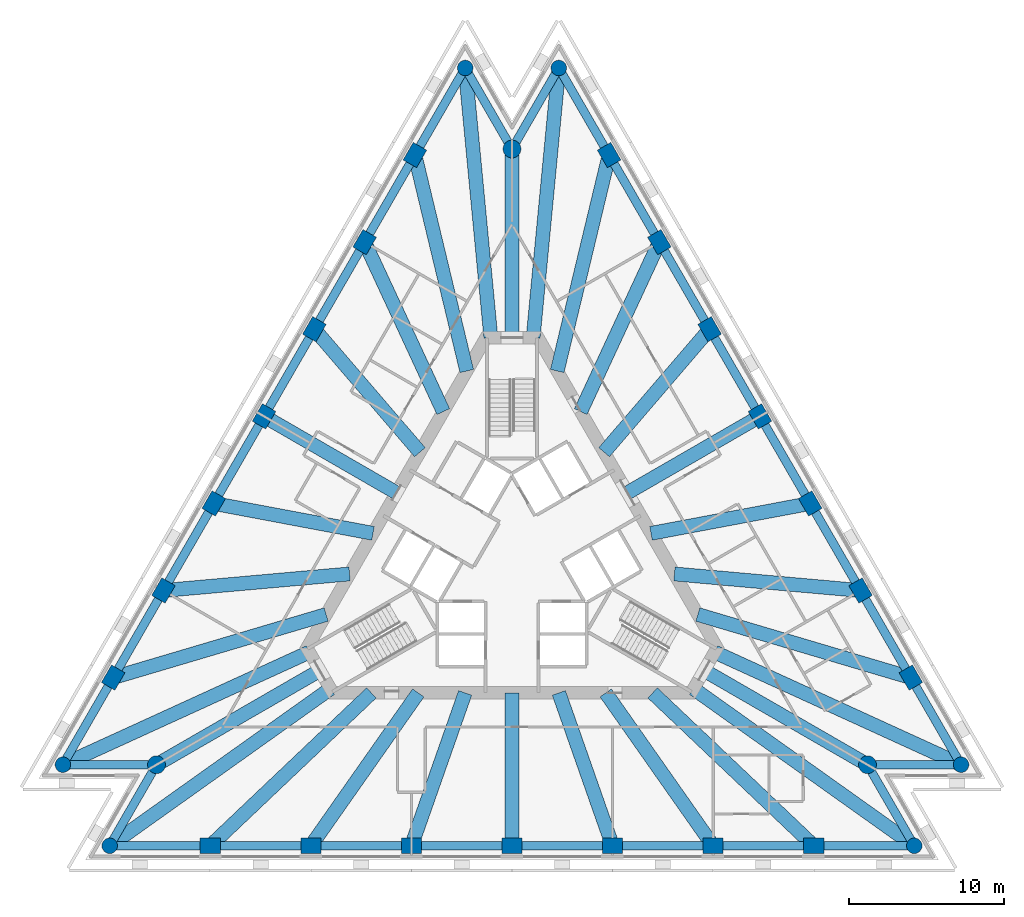
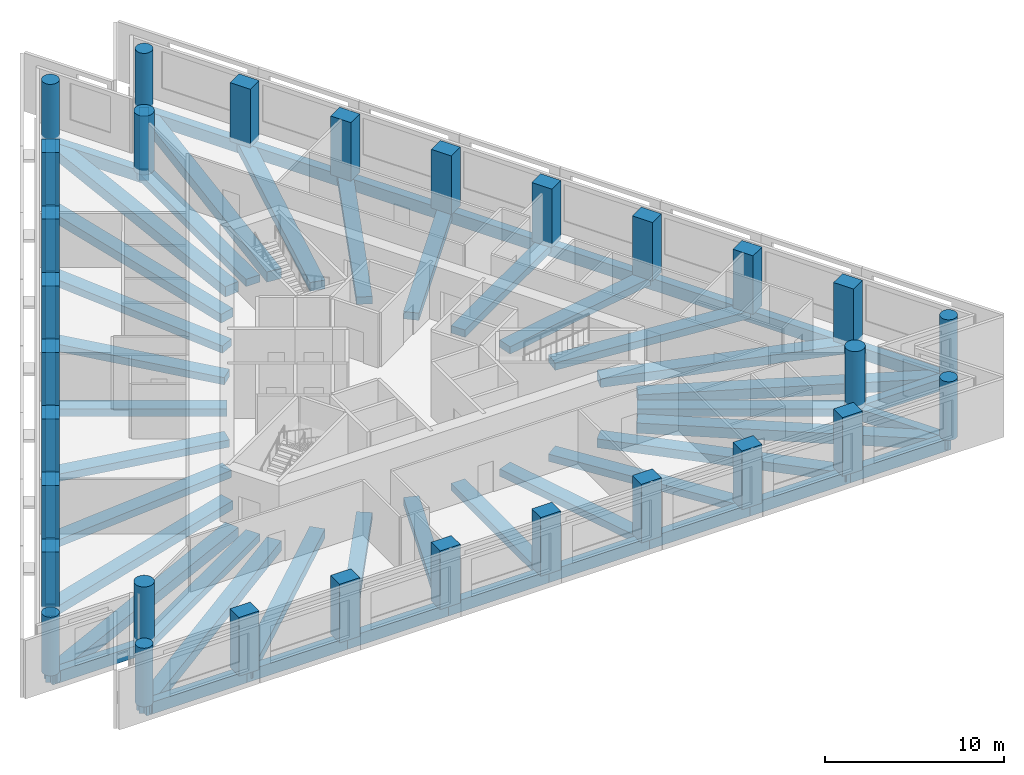
# One storey, part 1 of 9: 60 beams, 30 columns.
"""IFC4 building model written with IfcOpenShell, lengths in metres."""

from ifc_helpers import new_model, si_unit, direction, frame, origin, origin_2d, place, context, subcontext, project, spatial, rectangle, circle, extrude, material, material_profile, profile_set, type_object, element, save


model = new_model("IFC4")

# Units and contexts
model_context = context("Model", 3, precision=1e-05, world=origin(), true_north=direction((0.0, 1.0)))
body_context = subcontext(model_context, "Body", "Model", "MODEL_VIEW")
ifc_project = project(units=[si_unit("LENGTHUNIT", "METRE"), si_unit("AREAUNIT", "SQUARE_METRE"), si_unit("VOLUMEUNIT", "CUBIC_METRE"), si_unit("PLANEANGLEUNIT", "RADIAN"), si_unit("MASSUNIT", "GRAM", prefix="KILO")], contexts=[model_context])

# Site, building, storey
site_placement = place(None, origin())
site = spatial("IfcSite", under=ifc_project, at=site_placement, CompositionType="ELEMENT")
building_placement = place(site_placement, origin())
building = spatial("IfcBuilding", under=site, at=building_placement, Name="Triada Interchange Tower", CompositionType="ELEMENT")
storey_placement = place(building_placement, frame((0.0, 0.0, 168.300048828125)))
storey = spatial("IfcBuildingStorey", under=building, at=storey_placement, Name="L39", CompositionType="ELEMENT", Elevation=168.300048828125)

# Columns
ifc_material_1 = material(Name="Concrete C60/75", Category="concrete")
ifc_material_profile_1 = material_profile(ifc_material_1, rectangle(XDim=1.300048828125, YDim=1.0, at=origin_2d()), Name="RC 1300x1000")
ifc_profile_set_1 = profile_set([ifc_material_profile_1], Name="Concrete C60/75")
column_type_1 = type_object("IfcColumnType", Name="Column B face RC 1300x1000", PredefinedType="COLUMN", material=ifc_profile_set_1)
for number, where, z_axis, x_axis, name in (
    (1, (-6.258056640625, 26.068115234375, -0.300048828125), (0.0, 0.0, 1.0), (0.5, 0.866025403784, 0.0), "Column CB02 L39"),
    (2, (-9.4990234375, 20.4541015625, -0.300048828125), (0.0, 0.0, 1.0), (0.5, 0.866025403784, 0.0), "Column CB03 L39"),
    (3, (-12.739990234375, 14.841064453125, -0.300048828125), (0.0, 0.0, 1.0), (0.5, 0.866025403784, 0.0), "Column CB04 L39"),
    (4, (-15.98193359375, 9.22705078125, -0.300048828125), (0.0, 0.0, 1.0), (0.5, 0.866025403784, 0.0), "Column CB05 L39"),
    (5, (-19.222900390625, 3.613037109375, -0.300048828125), (0.0, 0.0, 1.0), (0.5, 0.866025403784, 0.0), "Column CB06 L39"),
    (6, (-22.464111328125, -2.0, -0.300048828125), (0.0, 0.0, 1.0), (0.5, 0.866025403784, 0.0), "Column CB07 L39"),
    (7, (-25.705078125, -7.614013671875, -0.300048828125), (0.0, 0.0, 1.0), (0.5, 0.866025403784, 0.0), "Column CB08 L39"),
    (8, (-19.447021484375, -18.4541015625, -0.300048828125), (0.0, 0.0, 1.0), (1.0, 0.0, 0.0), "Column CB11 L39"),
    (9, (-12.964111328125, -18.4541015625, -0.300048828125), (0.0, 0.0, 1.0), (1.0, 0.0, 0.0), "Column CB12 L39"),
    (10, (-6.48193359375, -18.4541015625, -0.300048828125), (0.0, 0.0, 1.0), (1.0, 0.0, 0.0), "Column CB13 L39"),
    (11, (0.0, -18.4541015625, -0.300048828125), (0.0, 0.0, 1.0), (1.0, 0.0, 0.0), "Column CB14 L39"),
    (12, (6.48193359375, -18.4541015625, -0.300048828125), (0.0, 0.0, 1.0), (1.0, 0.0, 0.0), "Column CB15 L39"),
    (13, (12.964111328125, -18.4541015625, -0.300048828125), (0.0, 0.0, 1.0), (1.0, 0.0, 0.0), "Column CB16 L39"),
    (14, (19.447021484375, -18.4541015625, -0.300048828125), (0.0, 0.0, 1.0), (1.0, 0.0, 0.0), "Column CB17 L39"),
    (15, (25.705078125, -7.614013671875, -0.300048828125), (0.0, 0.0, 1.0), (-0.5, 0.866025403784, 0.0), "Column CB20 L39"),
    (16, (22.464111328125, -2.0009765625, -0.300048828125), (0.0, 0.0, 1.0), (-0.5, 0.866025403784, 0.0), "Column CB21 L39"),
    (17, (19.222900390625, 3.613037109375, -0.300048828125), (0.0, 0.0, 1.0), (-0.5, 0.866025403784, 0.0), "Column CB22 L39"),
    (18, (15.98193359375, 9.22705078125, -0.300048828125), (0.0, 0.0, 1.0), (-0.5, 0.866025403784, 0.0), "Column CB23 L39"),
    (19, (12.739990234375, 14.841064453125, -0.300048828125), (0.0, 0.0, 1.0), (-0.5, 0.866025403784, 0.0), "Column CB24 L39"),
    (20, (9.4990234375, 20.4541015625, -0.300048828125), (0.0, 0.0, 1.0), (-0.5, 0.866025403784, 0.0), "Column CB25 L39"),
    (21, (6.258056640625, 26.068115234375, -0.300048828125), (0.0, 0.0, 1.0), (-0.5, 0.866025403784, 0.0), "Column CB26 L39"),
):
    element("IfcColumn", number, at=place(storey_placement, frame(where, z_axis=z_axis, x_axis=x_axis)), inside=storey, type_object=column_type_1, Name=name, PredefinedType="COLUMN", context=body_context, shape_type="SweptSolid", body=[
        extrude(rectangle(XDim=1.300048828125, YDim=1.0, at=origin_2d()), origin(), (0.0, 0.0, 1.0), 4.0),
    ])
ifc_material_profile_2 = material_profile(ifc_material_1, circle(Radius=0.5, at=origin_2d()), Name="RC D1000")
ifc_profile_set_2 = profile_set([ifc_material_profile_2], Name="Concrete C60/75")
column_type_2 = type_object("IfcColumnType", Name="End column B RC D1000", PredefinedType="COLUMN", material=ifc_profile_set_2)
for number, where, z_axis, x_axis, name in (
    (22, (-3.01708984375, 31.681884765625, -0.300048828125), (0.0, 0.0, 1.0), (0.5, 0.866025403784, 0.0), "Column CB01 L39"),
    (23, (-28.946044921875, -13.22802734375, -0.300048828125), (0.0, 0.0, 1.0), (0.5, 0.866025403784, 0.0), "Column CB09 L39"),
    (24, (-25.928955078125, -18.4541015625, -0.300048828125), (0.0, 0.0, 1.0), (1.0, 0.0, 0.0), "Column CB10 L39"),
    (25, (25.928955078125, -18.4541015625, -0.300048828125), (0.0, 0.0, 1.0), (1.0, 0.0, 0.0), "Column CB18 L39"),
    (26, (28.946044921875, -13.22802734375, -0.300048828125), (0.0, 0.0, 1.0), (-0.5, 0.866025403784, 0.0), "Column CB19 L39"),
    (27, (3.01708984375, 31.681884765625, -0.300048828125), (0.0, 0.0, 1.0), (-0.5, 0.866025403784, 0.0), "Column CB27 L39"),
):
    element("IfcColumn", number, at=place(storey_placement, frame(where, z_axis=z_axis, x_axis=x_axis)), inside=storey, type_object=column_type_2, Name=name, PredefinedType="COLUMN", context=body_context, shape_type="SweptSolid", body=[
        extrude(circle(Radius=0.5, at=origin_2d()), origin(), (0.0, 0.0, 1.0), 4.0),
    ])
ifc_material_profile_3 = material_profile(ifc_material_1, circle(Radius=0.574951171875, at=origin_2d()), Name="RC D1150")
ifc_profile_set_3 = profile_set([ifc_material_profile_3], Name="Concrete C60/75")
column_type_3 = type_object("IfcColumnType", Name="Mega column B RC D1150", PredefinedType="COLUMN", material=ifc_profile_set_3)
for number, where, z_axis, x_axis, name in (
    (28, (0.0, 26.45703125, -0.300048828125), (0.0, 0.0, 1.0), (1.0, 0.0, 0.0), "Column MB1 L39"),
    (29, (-22.912109375, -13.22802734375, -0.300048828125), (0.0, 0.0, 1.0), (1.0, 0.0, 0.0), "Column MB2 L39"),
    (30, (22.912109375, -13.22802734375, -0.300048828125), (0.0, 0.0, 1.0), (1.0, 0.0, 0.0), "Column MB3 L39"),
):
    element("IfcColumn", number, at=place(storey_placement, frame(where, z_axis=z_axis, x_axis=x_axis)), inside=storey, type_object=column_type_3, Name=name, PredefinedType="COLUMN", context=body_context, shape_type="SweptSolid", body=[
        extrude(circle(Radius=0.574951171875, at=origin_2d()), origin(), (0.0, 0.0, 1.0), 4.0),
    ])

# Beams
ifc_material_2 = material(Name="Concrete C50/60", Category="concrete")
ifc_material_profile_4 = material_profile(ifc_material_2, rectangle(XDim=0.89990234375, YDim=0.5, at=origin_2d()), Name="RC 900x500")
ifc_profile_set_4 = profile_set([ifc_material_profile_4], Name="Concrete C50/60")
beam_type_1 = type_object("IfcBeamType", Name="Radial band beam B RC 900x500", PredefinedType="BEAM", material=ifc_profile_set_4)
beam_1_placement = place(storey_placement, frame((-9.4990234375, 20.4541015625, -0.550048828125), z_axis=(0.421182188, -0.906976055093, 0.0), x_axis=(0.906976055093, 0.421182188, 0.0)))
element("IfcBeam", 31, at=beam_1_placement, inside=storey, type_object=beam_type_1, Name="Radial band beam BB03 L39", PredefinedType="BEAM", context=body_context, shape_type="SweptSolid", body=[
    extrude(rectangle(XDim=0.89990234375, YDim=0.5, at=origin_2d()), origin(), (0.0, 0.0, 1.0), 12.042236328125),
])
beam_2_placement = place(storey_placement, frame((-12.739990234375, 14.841064453125, -0.550048828125), z_axis=(0.651347526446, -0.75877954624, 0.0), x_axis=(0.75877954624, 0.651347526446, 0.0)))
element("IfcBeam", 32, at=beam_2_placement, inside=storey, type_object=beam_type_1, Name="Radial band beam BB04 L39", PredefinedType="BEAM", context=body_context, shape_type="SweptSolid", body=[
    extrude(rectangle(XDim=0.89990234375, YDim=0.5, at=origin_2d()), origin(), (0.0, 0.0, 1.0), 10.444580078125),
])
beam_3_placement = place(storey_placement, frame((-15.98193359375, 9.22705078125, -0.550048828125), z_axis=(0.866028393261, -0.49999482204, 0.0), x_axis=(0.49999482204, 0.866028393261, 0.0)))
element("IfcBeam", 33, at=beam_3_placement, inside=storey, type_object=beam_type_1, Name="Radial band beam BB05 L39", PredefinedType="BEAM", context=body_context, shape_type="SweptSolid", body=[
    extrude(rectangle(XDim=0.89990234375, YDim=0.5, at=origin_2d()), origin(), (0.0, 0.0, 1.0), 9.85400390625),
])
beam_4_placement = place(storey_placement, frame((-19.222900390625, 3.613037109375, -0.550048828125), z_axis=(0.982797748276, -0.184685099516, 0.0), x_axis=(0.184685099516, 0.982797748276, 0.0)))
element("IfcBeam", 34, at=beam_4_placement, inside=storey, type_object=beam_type_1, Name="Radial band beam BB06 L39", PredefinedType="BEAM", context=body_context, shape_type="SweptSolid", body=[
    extrude(rectangle(XDim=0.89990234375, YDim=0.5, at=origin_2d()), origin(), (0.0, 0.0, 1.0), 10.444580078125),
])
beam_5_placement = place(storey_placement, frame((-22.464111328125, -2.0, -0.550048828125), z_axis=(0.996059479564, 0.088687728409, 0.0), x_axis=(-0.088687728409, 0.996059479564, 0.0)))
element("IfcBeam", 35, at=beam_5_placement, inside=storey, type_object=beam_type_1, Name="Radial band beam BB07 L39", PredefinedType="BEAM", context=body_context, shape_type="SweptSolid", body=[
    extrude(rectangle(XDim=0.89990234375, YDim=0.5, at=origin_2d()), origin(), (0.0, 0.0, 1.0), 12.04345703125),
])
beam_6_placement = place(storey_placement, frame((-22.912109375, -13.22802734375, -0.550048828125), z_axis=(0.866034757718, 0.499983798162, 0.0), x_axis=(-0.499983798162, 0.866034757718, 0.0)))
element("IfcBeam", 36, at=beam_6_placement, inside=storey, type_object=beam_type_1, Name="Radial band beam BB10 L39", PredefinedType="BEAM", context=body_context, shape_type="SweptSolid", body=[
    extrude(rectangle(XDim=0.89990234375, YDim=0.5, at=origin_2d()), origin(), (0.0, 0.0, 1.0), 12.15673828125),
])
beam_7_placement = place(storey_placement, frame((-12.964111328125, -18.4541015625, -0.550048828125), z_axis=(0.574816759981, 0.818282159432, 0.0), x_axis=(-0.818282159432, 0.574816759981, 0.0)))
element("IfcBeam", 37, at=beam_7_placement, inside=storey, type_object=beam_type_1, Name="Radial band beam BB13 L39", PredefinedType="BEAM", context=body_context, shape_type="SweptSolid", body=[
    extrude(rectangle(XDim=0.89990234375, YDim=0.5, at=origin_2d()), origin(), (0.0, 0.0, 1.0), 12.042236328125),
])
beam_8_placement = place(storey_placement, frame((-6.48193359375, -18.4541015625, -0.550048828125), z_axis=(0.331376895085, 0.943498464971, 0.0), x_axis=(-0.943498464971, 0.331376895085, 0.0)))
element("IfcBeam", 38, at=beam_8_placement, inside=storey, type_object=beam_type_1, Name="Radial band beam BB14 L39", PredefinedType="BEAM", context=body_context, shape_type="SweptSolid", body=[
    extrude(rectangle(XDim=0.89990234375, YDim=0.5, at=origin_2d()), origin(), (0.0, 0.0, 1.0), 10.444091796875),
])
beam_9_placement = place(storey_placement, frame((0.0, -18.4541015625, -0.550048828125), z_axis=(0.0, 1.0, 0.0), x_axis=(-1.0, 0.0, 0.0)))
element("IfcBeam", 39, at=beam_9_placement, inside=storey, type_object=beam_type_1, Name="Radial band beam BB15 L39", PredefinedType="BEAM", context=body_context, shape_type="SweptSolid", body=[
    extrude(rectangle(XDim=0.89990234375, YDim=0.5, at=origin_2d()), origin(), (0.0, 0.0, 1.0), 9.85400390625),
])
beam_10_placement = place(storey_placement, frame((6.48193359375, -18.4541015625, -0.550048828125), z_axis=(-0.331376895085, 0.943498464971, 0.0), x_axis=(-0.943498464971, -0.331376895085, 0.0)))
element("IfcBeam", 40, at=beam_10_placement, inside=storey, type_object=beam_type_1, Name="Radial band beam BB16 L39", PredefinedType="BEAM", context=body_context, shape_type="SweptSolid", body=[
    extrude(rectangle(XDim=0.89990234375, YDim=0.5, at=origin_2d()), origin(), (0.0, 0.0, 1.0), 10.444091796875),
])
beam_11_placement = place(storey_placement, frame((12.964111328125, -18.4541015625, -0.550048828125), z_axis=(-0.574816759981, 0.818282159432, 0.0), x_axis=(-0.818282159432, -0.574816759981, 0.0)))
element("IfcBeam", 41, at=beam_11_placement, inside=storey, type_object=beam_type_1, Name="Radial band beam BB17 L39", PredefinedType="BEAM", context=body_context, shape_type="SweptSolid", body=[
    extrude(rectangle(XDim=0.89990234375, YDim=0.5, at=origin_2d()), origin(), (0.0, 0.0, 1.0), 12.042236328125),
])
beam_12_placement = place(storey_placement, frame((22.912109375, -13.22802734375, -0.550048828125), z_axis=(-0.866034757718, 0.499983798162, 0.0), x_axis=(-0.499983798162, -0.866034757718, 0.0)))
element("IfcBeam", 42, at=beam_12_placement, inside=storey, type_object=beam_type_1, Name="Radial band beam BB20 L39", PredefinedType="BEAM", context=body_context, shape_type="SweptSolid", body=[
    extrude(rectangle(XDim=0.89990234375, YDim=0.5, at=origin_2d()), origin(), (0.0, 0.0, 1.0), 12.15673828125),
])
beam_13_placement = place(storey_placement, frame((22.464111328125, -2.0009765625, -0.550048828125), z_axis=(-0.996052313378, 0.088768175681, 0.0), x_axis=(-0.088768175681, -0.996052313378, 0.0)))
element("IfcBeam", 43, at=beam_13_placement, inside=storey, type_object=beam_type_1, Name="Radial band beam BB23 L39", PredefinedType="BEAM", context=body_context, shape_type="SweptSolid", body=[
    extrude(rectangle(XDim=0.89990234375, YDim=0.5, at=origin_2d()), origin(), (0.0, 0.0, 1.0), 12.043701171875),
])
beam_14_placement = place(storey_placement, frame((19.222900390625, 3.613037109375, -0.550048828125), z_axis=(-0.982797748276, -0.184685099516, 0.0), x_axis=(0.184685099516, -0.982797748276, 0.0)))
element("IfcBeam", 44, at=beam_14_placement, inside=storey, type_object=beam_type_1, Name="Radial band beam BB24 L39", PredefinedType="BEAM", context=body_context, shape_type="SweptSolid", body=[
    extrude(rectangle(XDim=0.89990234375, YDim=0.5, at=origin_2d()), origin(), (0.0, 0.0, 1.0), 10.444580078125),
])
beam_15_placement = place(storey_placement, frame((15.98193359375, 9.22705078125, -0.550048828125), z_axis=(-0.866028393261, -0.49999482204, 0.0), x_axis=(0.49999482204, -0.866028393261, 0.0)))
element("IfcBeam", 45, at=beam_15_placement, inside=storey, type_object=beam_type_1, Name="Radial band beam BB25 L39", PredefinedType="BEAM", context=body_context, shape_type="SweptSolid", body=[
    extrude(rectangle(XDim=0.89990234375, YDim=0.5, at=origin_2d()), origin(), (0.0, 0.0, 1.0), 9.85400390625),
])
beam_16_placement = place(storey_placement, frame((12.739990234375, 14.841064453125, -0.550048828125), z_axis=(-0.651347526446, -0.75877954624, 0.0), x_axis=(0.75877954624, -0.651347526446, 0.0)))
element("IfcBeam", 46, at=beam_16_placement, inside=storey, type_object=beam_type_1, Name="Radial band beam BB26 L39", PredefinedType="BEAM", context=body_context, shape_type="SweptSolid", body=[
    extrude(rectangle(XDim=0.89990234375, YDim=0.5, at=origin_2d()), origin(), (0.0, 0.0, 1.0), 10.444580078125),
])
beam_17_placement = place(storey_placement, frame((9.4990234375, 20.4541015625, -0.550048828125), z_axis=(-0.421182188, -0.906976055093, 0.0), x_axis=(0.906976055093, -0.421182188, 0.0)))
element("IfcBeam", 47, at=beam_17_placement, inside=storey, type_object=beam_type_1, Name="Radial band beam BB27 L39", PredefinedType="BEAM", context=body_context, shape_type="SweptSolid", body=[
    extrude(rectangle(XDim=0.89990234375, YDim=0.5, at=origin_2d()), origin(), (0.0, 0.0, 1.0), 12.042236328125),
])
beam_18_placement = place(storey_placement, frame((0.0, 26.45703125, -0.550048828125), z_axis=(0.0, -1.0, 0.0), x_axis=(1.0, 0.0, 0.0)))
element("IfcBeam", 48, at=beam_18_placement, inside=storey, type_object=beam_type_1, Name="Radial band beam BB30 L39", PredefinedType="BEAM", context=body_context, shape_type="SweptSolid", body=[
    extrude(rectangle(XDim=0.89990234375, YDim=0.5, at=origin_2d()), origin(), (0.0, 0.0, 1.0), 12.156982421875),
])
ifc_material_profile_5 = material_profile(ifc_material_2, rectangle(XDim=0.89990234375, YDim=0.60009765625, at=origin_2d()), Name="RC 900x600")
ifc_profile_set_5 = profile_set([ifc_material_profile_5], Name="Concrete C50/60")
beam_type_2 = type_object("IfcBeamType", Name="Radial band beam B RC 900x600", PredefinedType="BEAM", material=ifc_profile_set_5)
for number, where, z_axis, x_axis, name in (
    (49, (-6.258056640625, 26.068115234375, -0.60009765625), (0.233452287657, -0.972368258114, 0.0), (0.972368258114, 0.233452287657, 0.0), "Radial band beam BB02 L39"),
    (50, (-25.705078125, -7.614013671875, -0.60009765625), (0.958818411795, 0.284019811285, 0.0), (-0.284019811285, 0.958818411795, 0.0), "Radial band beam BB08 L39"),
):
    element("IfcBeam", number, at=place(storey_placement, frame(where, z_axis=z_axis, x_axis=x_axis)), inside=storey, type_object=beam_type_2, Name=name, PredefinedType="BEAM", context=body_context, shape_type="SweptSolid", body=[
        extrude(rectangle(XDim=0.89990234375, YDim=0.60009765625, at=origin_2d()), origin(), (0.0, 0.0, 1.0), 14.315673828125),
    ])
for number, where, z_axis, x_axis, name in (
    (51, (-19.447021484375, -18.4541015625, -0.60009765625), (0.72537701011, 0.688351794655, 0.0), (-0.688351794655, 0.72537701011, 0.0), "Radial band beam BB12 L39"),
    (52, (19.447021484375, -18.4541015625, -0.60009765625), (-0.72537701011, 0.688351794655, 0.0), (-0.688351794655, -0.72537701011, 0.0), "Radial band beam BB18 L39"),
):
    element("IfcBeam", number, at=place(storey_placement, frame(where, z_axis=z_axis, x_axis=x_axis)), inside=storey, type_object=beam_type_2, Name=name, PredefinedType="BEAM", context=body_context, shape_type="SweptSolid", body=[
        extrude(rectangle(XDim=0.89990234375, YDim=0.60009765625, at=origin_2d()), origin(), (0.0, 0.0, 1.0), 14.3154296875),
    ])
for number, where, z_axis, x_axis, name in (
    (53, (25.705078125, -7.614013671875, -0.60009765625), (-0.958818411795, 0.284019811285, 0.0), (-0.284019811285, -0.958818411795, 0.0), "Radial band beam BB22 L39"),
    (54, (6.258056640625, 26.068115234375, -0.60009765625), (-0.233452287657, -0.972368258114, 0.0), (0.972368258114, -0.233452287657, 0.0), "Radial band beam BB28 L39"),
):
    element("IfcBeam", number, at=place(storey_placement, frame(where, z_axis=z_axis, x_axis=x_axis)), inside=storey, type_object=beam_type_2, Name=name, PredefinedType="BEAM", context=body_context, shape_type="SweptSolid", body=[
        extrude(rectangle(XDim=0.89990234375, YDim=0.60009765625, at=origin_2d()), origin(), (0.0, 0.0, 1.0), 14.315673828125),
    ])
ifc_material_profile_6 = material_profile(ifc_material_2, rectangle(XDim=0.89990234375, YDim=0.699951171875, at=origin_2d()), Name="RC 900x700")
ifc_profile_set_6 = profile_set([ifc_material_profile_6], Name="Concrete C50/60")
beam_type_3 = type_object("IfcBeamType", Name="Radial band beam B RC 900x700", PredefinedType="BEAM", material=ifc_profile_set_6)
beam_19_placement = place(storey_placement, frame((-3.01708984375, 31.681884765625, -0.650146484375), z_axis=(0.094787317622, -0.995497546164, 0.0), x_axis=(0.995497546164, 0.094787317622, 0.0)))
element("IfcBeam", 55, at=beam_19_placement, inside=storey, type_object=beam_type_3, Name="Radial band beam BB01 L39", PredefinedType="BEAM", context=body_context, shape_type="SweptSolid", body=[
    extrude(rectangle(XDim=0.89990234375, YDim=0.699951171875, at=origin_2d()), origin(), (0.0, 0.0, 1.0), 17.46044921875),
])
for number, where, z_axis, x_axis, name in (
    (56, (-28.946044921875, -13.22802734375, -0.650146484375), (0.909515104954, 0.415670872038, 0.0), (-0.415670872038, 0.909515104954, 0.0), "Radial band beam BB09 L39"),
    (57, (-25.928955078125, -18.4541015625, -0.650146484375), (0.814720469551, 0.579853909614, 0.0), (-0.579853909614, 0.814720469551, 0.0), "Radial band beam BB11 L39"),
    (58, (25.928955078125, -18.4541015625, -0.650146484375), (-0.814720469551, 0.579853909614, 0.0), (-0.579853909614, -0.814720469551, 0.0), "Radial band beam BB19 L39"),
    (59, (28.946044921875, -13.22802734375, -0.650146484375), (-0.909515104954, 0.415670872038, 0.0), (-0.415670872038, -0.909515104954, 0.0), "Radial band beam BB21 L39"),
):
    element("IfcBeam", number, at=place(storey_placement, frame(where, z_axis=z_axis, x_axis=x_axis)), inside=storey, type_object=beam_type_3, Name=name, PredefinedType="BEAM", context=body_context, shape_type="SweptSolid", body=[
        extrude(rectangle(XDim=0.89990234375, YDim=0.699951171875, at=origin_2d()), origin(), (0.0, 0.0, 1.0), 17.461181640625),
    ])
beam_20_placement = place(storey_placement, frame((3.01708984375, 31.681884765625, -0.650146484375), z_axis=(-0.094787317622, -0.995497546164, 0.0), x_axis=(0.995497546164, -0.094787317622, 0.0)))
element("IfcBeam", 60, at=beam_20_placement, inside=storey, type_object=beam_type_3, Name="Radial band beam BB29 L39", PredefinedType="BEAM", context=body_context, shape_type="SweptSolid", body=[
    extrude(rectangle(XDim=0.89990234375, YDim=0.699951171875, at=origin_2d()), origin(), (0.0, 0.0, 1.0), 17.46044921875),
])
ifc_material_profile_7 = material_profile(ifc_material_2, rectangle(XDim=0.550048828125, YDim=0.800048828125, at=origin_2d()), Name="RC 550x800")
ifc_profile_set_7 = profile_set([ifc_material_profile_7], Name="Concrete C50/60")
beam_type_4 = type_object("IfcBeamType", Name="Spandrel beam B RC 550x800", PredefinedType="BEAM", material=ifc_profile_set_7)
beam_21_placement = place(storey_placement, frame((-3.01708984375, 31.681884765625, -0.699951171875), z_axis=(-0.499983274767, -0.866035059887, 0.0), x_axis=(0.866035059887, -0.499983274767, 0.0)))
element("IfcBeam", 61, at=beam_21_placement, inside=storey, type_object=beam_type_4, Name="Spandrel beam EB01 L39", PredefinedType="BEAM", context=body_context, shape_type="SweptSolid", body=[
    extrude(rectangle(XDim=0.550048828125, YDim=0.800048828125, at=origin_2d()), origin(), (0.0, 0.0, 1.0), 6.482177734375),
])
beam_22_placement = place(storey_placement, frame((-6.258056640625, 26.068115234375, -0.699951171875), z_axis=(-0.49996696679, -0.866044474677, 0.0), x_axis=(0.866044474677, -0.49996696679, 0.0)))
element("IfcBeam", 62, at=beam_22_placement, inside=storey, type_object=beam_type_4, Name="Spandrel beam EB02 L39", PredefinedType="BEAM", context=body_context, shape_type="SweptSolid", body=[
    extrude(rectangle(XDim=0.550048828125, YDim=0.800048828125, at=origin_2d()), origin(), (0.0, 0.0, 1.0), 6.482421875),
])
beam_23_placement = place(storey_placement, frame((-9.4990234375, 20.4541015625, -0.699951171875), z_axis=(-0.500032204018, -0.866006809987, 0.0), x_axis=(0.866006809987, -0.500032204018, 0.0)))
element("IfcBeam", 63, at=beam_23_placement, inside=storey, type_object=beam_type_4, Name="Spandrel beam EB03 L39", PredefinedType="BEAM", context=body_context, shape_type="SweptSolid", body=[
    extrude(rectangle(XDim=0.550048828125, YDim=0.800048828125, at=origin_2d()), origin(), (0.0, 0.0, 1.0), 6.4814453125),
])
beam_24_placement = place(storey_placement, frame((-12.739990234375, 14.841064453125, -0.699951171875), z_axis=(-0.500079945886, -0.865979242085, 0.0), x_axis=(0.865979242085, -0.500079945886, 0.0)))
element("IfcBeam", 64, at=beam_24_placement, inside=storey, type_object=beam_type_4, Name="Spandrel beam EB04 L39", PredefinedType="BEAM", context=body_context, shape_type="SweptSolid", body=[
    extrude(rectangle(XDim=0.550048828125, YDim=0.800048828125, at=origin_2d()), origin(), (0.0, 0.0, 1.0), 6.48291015625),
])
beam_25_placement = place(storey_placement, frame((-15.98193359375, 9.22705078125, -0.699951171875), z_axis=(-0.49996696679, -0.866044474677, 0.0), x_axis=(0.866044474677, -0.49996696679, 0.0)))
element("IfcBeam", 65, at=beam_25_placement, inside=storey, type_object=beam_type_4, Name="Spandrel beam EB05 L39", PredefinedType="BEAM", context=body_context, shape_type="SweptSolid", body=[
    extrude(rectangle(XDim=0.550048828125, YDim=0.800048828125, at=origin_2d()), origin(), (0.0, 0.0, 1.0), 6.482421875),
])
beam_26_placement = place(storey_placement, frame((-19.222900390625, 3.613037109375, -0.699951171875), z_axis=(-0.500060452414, -0.865990498754, 0.0), x_axis=(0.865990498754, -0.500060452414, 0.0)))
element("IfcBeam", 66, at=beam_26_placement, inside=storey, type_object=beam_type_4, Name="Spandrel beam EB06 L39", PredefinedType="BEAM", context=body_context, shape_type="SweptSolid", body=[
    extrude(rectangle(XDim=0.550048828125, YDim=0.800048828125, at=origin_2d()), origin(), (0.0, 0.0, 1.0), 6.481689453125),
])
for number, where, z_axis, x_axis, name in (
    (67, (-22.464111328125, -2.0, -0.699951171875), (-0.49996696679, -0.866044474677, 0.0), (0.866044474677, -0.49996696679, 0.0), "Spandrel beam EB07 L39"),
    (68, (-25.705078125, -7.614013671875, -0.699951171875), (-0.49996696679, -0.866044474677, 0.0), (0.866044474677, -0.49996696679, 0.0), "Spandrel beam EB08 L39"),
):
    element("IfcBeam", number, at=place(storey_placement, frame(where, z_axis=z_axis, x_axis=x_axis)), inside=storey, type_object=beam_type_4, Name=name, PredefinedType="BEAM", context=body_context, shape_type="SweptSolid", body=[
        extrude(rectangle(XDim=0.550048828125, YDim=0.800048828125, at=origin_2d()), origin(), (0.0, 0.0, 1.0), 6.482421875),
    ])
beam_27_placement = place(storey_placement, frame((-28.946044921875, -13.22802734375, -0.699951171875), z_axis=(1.0, 0.0, 0.0), x_axis=(0.0, 1.0, 0.0)))
element("IfcBeam", 69, at=beam_27_placement, inside=storey, type_object=beam_type_4, Name="Spandrel beam EB09 L39", PredefinedType="BEAM", context=body_context, shape_type="SweptSolid", body=[
    extrude(rectangle(XDim=0.550048828125, YDim=0.800048828125, at=origin_2d()), origin(), (0.0, 0.0, 1.0), 6.033935546875),
])
beam_28_placement = place(storey_placement, frame((-22.912109375, -13.22802734375, -0.699951171875), z_axis=(-0.499946597911, -0.8660562333, 0.0), x_axis=(0.8660562333, -0.499946597911, 0.0)))
element("IfcBeam", 70, at=beam_28_placement, inside=storey, type_object=beam_type_4, Name="Spandrel beam EB10 L39", PredefinedType="BEAM", context=body_context, shape_type="SweptSolid", body=[
    extrude(rectangle(XDim=0.550048828125, YDim=0.800048828125, at=origin_2d()), origin(), (0.0, 0.0, 1.0), 6.034423828125),
])
beam_29_placement = place(storey_placement, frame((-25.928955078125, -18.4541015625, -0.699951171875), z_axis=(1.0, 0.0, 0.0), x_axis=(0.0, 1.0, 0.0)))
element("IfcBeam", 71, at=beam_29_placement, inside=storey, type_object=beam_type_4, Name="Spandrel beam EB11 L39", PredefinedType="BEAM", context=body_context, shape_type="SweptSolid", body=[
    extrude(rectangle(XDim=0.550048828125, YDim=0.800048828125, at=origin_2d()), origin(), (0.0, 0.0, 1.0), 6.48193359375),
])
beam_30_placement = place(storey_placement, frame((-19.447021484375, -18.4541015625, -0.699951171875), z_axis=(1.0, 0.0, 0.0), x_axis=(0.0, 1.0, 0.0)))
element("IfcBeam", 72, at=beam_30_placement, inside=storey, type_object=beam_type_4, Name="Spandrel beam EB12 L39", PredefinedType="BEAM", context=body_context, shape_type="SweptSolid", body=[
    extrude(rectangle(XDim=0.550048828125, YDim=0.800048828125, at=origin_2d()), origin(), (0.0, 0.0, 1.0), 6.48291015625),
])
beam_31_placement = place(storey_placement, frame((-12.964111328125, -18.4541015625, -0.699951171875), z_axis=(1.0, 0.0, 0.0), x_axis=(0.0, 1.0, 0.0)))
element("IfcBeam", 73, at=beam_31_placement, inside=storey, type_object=beam_type_4, Name="Spandrel beam EB13 L39", PredefinedType="BEAM", context=body_context, shape_type="SweptSolid", body=[
    extrude(rectangle(XDim=0.550048828125, YDim=0.800048828125, at=origin_2d()), origin(), (0.0, 0.0, 1.0), 6.482177734375),
])
for number, where, z_axis, x_axis, name in (
    (74, (-6.48193359375, -18.4541015625, -0.699951171875), (1.0, 0.0, 0.0), (0.0, 1.0, 0.0), "Spandrel beam EB14 L39"),
    (75, (0.0, -18.4541015625, -0.699951171875), (1.0, 0.0, 0.0), (0.0, 1.0, 0.0), "Spandrel beam EB15 L39"),
):
    element("IfcBeam", number, at=place(storey_placement, frame(where, z_axis=z_axis, x_axis=x_axis)), inside=storey, type_object=beam_type_4, Name=name, PredefinedType="BEAM", context=body_context, shape_type="SweptSolid", body=[
        extrude(rectangle(XDim=0.550048828125, YDim=0.800048828125, at=origin_2d()), origin(), (0.0, 0.0, 1.0), 6.48193359375),
    ])
beam_32_placement = place(storey_placement, frame((6.48193359375, -18.4541015625, -0.699951171875), z_axis=(1.0, 0.0, 0.0), x_axis=(0.0, 1.0, 0.0)))
element("IfcBeam", 76, at=beam_32_placement, inside=storey, type_object=beam_type_4, Name="Spandrel beam EB16 L39", PredefinedType="BEAM", context=body_context, shape_type="SweptSolid", body=[
    extrude(rectangle(XDim=0.550048828125, YDim=0.800048828125, at=origin_2d()), origin(), (0.0, 0.0, 1.0), 6.482177734375),
])
beam_33_placement = place(storey_placement, frame((12.964111328125, -18.4541015625, -0.699951171875), z_axis=(1.0, 0.0, 0.0), x_axis=(0.0, 1.0, 0.0)))
element("IfcBeam", 77, at=beam_33_placement, inside=storey, type_object=beam_type_4, Name="Spandrel beam EB17 L39", PredefinedType="BEAM", context=body_context, shape_type="SweptSolid", body=[
    extrude(rectangle(XDim=0.550048828125, YDim=0.800048828125, at=origin_2d()), origin(), (0.0, 0.0, 1.0), 6.48291015625),
])
beam_34_placement = place(storey_placement, frame((19.447021484375, -18.4541015625, -0.699951171875), z_axis=(1.0, 0.0, 0.0), x_axis=(0.0, 1.0, 0.0)))
element("IfcBeam", 78, at=beam_34_placement, inside=storey, type_object=beam_type_4, Name="Spandrel beam EB18 L39", PredefinedType="BEAM", context=body_context, shape_type="SweptSolid", body=[
    extrude(rectangle(XDim=0.550048828125, YDim=0.800048828125, at=origin_2d()), origin(), (0.0, 0.0, 1.0), 6.48193359375),
])
beam_35_placement = place(storey_placement, frame((25.928955078125, -18.4541015625, -0.699951171875), z_axis=(-0.499946597911, 0.8660562333, 0.0), x_axis=(-0.8660562333, -0.499946597911, 0.0)))
element("IfcBeam", 79, at=beam_35_placement, inside=storey, type_object=beam_type_4, Name="Spandrel beam EB19 L39", PredefinedType="BEAM", context=body_context, shape_type="SweptSolid", body=[
    extrude(rectangle(XDim=0.550048828125, YDim=0.800048828125, at=origin_2d()), origin(), (0.0, 0.0, 1.0), 6.034423828125),
])
beam_36_placement = place(storey_placement, frame((22.912109375, -13.22802734375, -0.699951171875), z_axis=(1.0, 0.0, 0.0), x_axis=(0.0, 1.0, 0.0)))
element("IfcBeam", 80, at=beam_36_placement, inside=storey, type_object=beam_type_4, Name="Spandrel beam EB20 L39", PredefinedType="BEAM", context=body_context, shape_type="SweptSolid", body=[
    extrude(rectangle(XDim=0.550048828125, YDim=0.800048828125, at=origin_2d()), origin(), (0.0, 0.0, 1.0), 6.033935546875),
])
beam_37_placement = place(storey_placement, frame((28.946044921875, -13.22802734375, -0.699951171875), z_axis=(-0.49996696679, 0.866044474677, 0.0), x_axis=(-0.866044474677, -0.49996696679, 0.0)))
element("IfcBeam", 81, at=beam_37_placement, inside=storey, type_object=beam_type_4, Name="Spandrel beam EB21 L39", PredefinedType="BEAM", context=body_context, shape_type="SweptSolid", body=[
    extrude(rectangle(XDim=0.550048828125, YDim=0.800048828125, at=origin_2d()), origin(), (0.0, 0.0, 1.0), 6.482421875),
])
beam_38_placement = place(storey_placement, frame((25.705078125, -7.614013671875, -0.699951171875), z_axis=(-0.500032204018, 0.866006809987, 0.0), x_axis=(-0.866006809987, -0.500032204018, 0.0)))
element("IfcBeam", 82, at=beam_38_placement, inside=storey, type_object=beam_type_4, Name="Spandrel beam EB22 L39", PredefinedType="BEAM", context=body_context, shape_type="SweptSolid", body=[
    extrude(rectangle(XDim=0.550048828125, YDim=0.800048828125, at=origin_2d()), origin(), (0.0, 0.0, 1.0), 6.4814453125),
])
for number, where, z_axis, x_axis, name in (
    (83, (22.464111328125, -2.0009765625, -0.699951171875), (-0.499995213958, 0.86602816699, 0.0), (-0.86602816699, -0.499995213958, 0.0), "Spandrel beam EB23 L39"),
    (84, (19.222900390625, 3.613037109375, -0.699951171875), (-0.49996696679, 0.866044474677, 0.0), (-0.866044474677, -0.49996696679, 0.0), "Spandrel beam EB24 L39"),
):
    element("IfcBeam", number, at=place(storey_placement, frame(where, z_axis=z_axis, x_axis=x_axis)), inside=storey, type_object=beam_type_4, Name=name, PredefinedType="BEAM", context=body_context, shape_type="SweptSolid", body=[
        extrude(rectangle(XDim=0.550048828125, YDim=0.800048828125, at=origin_2d()), origin(), (0.0, 0.0, 1.0), 6.482421875),
    ])
beam_39_placement = place(storey_placement, frame((15.98193359375, 9.22705078125, -0.699951171875), z_axis=(-0.500079945886, 0.865979242085, 0.0), x_axis=(-0.865979242085, -0.500079945886, 0.0)))
element("IfcBeam", 85, at=beam_39_placement, inside=storey, type_object=beam_type_4, Name="Spandrel beam EB25 L39", PredefinedType="BEAM", context=body_context, shape_type="SweptSolid", body=[
    extrude(rectangle(XDim=0.550048828125, YDim=0.800048828125, at=origin_2d()), origin(), (0.0, 0.0, 1.0), 6.48291015625),
])
beam_40_placement = place(storey_placement, frame((12.739990234375, 14.841064453125, -0.699951171875), z_axis=(-0.500032204018, 0.866006809987, 0.0), x_axis=(-0.866006809987, -0.500032204018, 0.0)))
element("IfcBeam", 86, at=beam_40_placement, inside=storey, type_object=beam_type_4, Name="Spandrel beam EB26 L39", PredefinedType="BEAM", context=body_context, shape_type="SweptSolid", body=[
    extrude(rectangle(XDim=0.550048828125, YDim=0.800048828125, at=origin_2d()), origin(), (0.0, 0.0, 1.0), 6.4814453125),
])
beam_41_placement = place(storey_placement, frame((9.4990234375, 20.4541015625, -0.699951171875), z_axis=(-0.49996696679, 0.866044474677, 0.0), x_axis=(-0.866044474677, -0.49996696679, 0.0)))
element("IfcBeam", 87, at=beam_41_placement, inside=storey, type_object=beam_type_4, Name="Spandrel beam EB27 L39", PredefinedType="BEAM", context=body_context, shape_type="SweptSolid", body=[
    extrude(rectangle(XDim=0.550048828125, YDim=0.800048828125, at=origin_2d()), origin(), (0.0, 0.0, 1.0), 6.482421875),
])
beam_42_placement = place(storey_placement, frame((6.258056640625, 26.068115234375, -0.699951171875), z_axis=(-0.499983274767, 0.866035059887, 0.0), x_axis=(-0.866035059887, -0.499983274767, 0.0)))
element("IfcBeam", 88, at=beam_42_placement, inside=storey, type_object=beam_type_4, Name="Spandrel beam EB28 L39", PredefinedType="BEAM", context=body_context, shape_type="SweptSolid", body=[
    extrude(rectangle(XDim=0.550048828125, YDim=0.800048828125, at=origin_2d()), origin(), (0.0, 0.0, 1.0), 6.482177734375),
])
for number, where, z_axis, x_axis, name in (
    (89, (3.01708984375, 31.681884765625, -0.699951171875), (-0.500064546788, -0.865988134472, 0.0), (0.865988134472, -0.500064546788, 0.0), "Spandrel beam EB29 L39"),
    (90, (0.0, 26.45703125, -0.699951171875), (-0.500064546788, 0.865988134472, 0.0), (-0.865988134472, -0.500064546788, 0.0), "Spandrel beam EB30 L39"),
):
    element("IfcBeam", number, at=place(storey_placement, frame(where, z_axis=z_axis, x_axis=x_axis)), inside=storey, type_object=beam_type_4, Name=name, PredefinedType="BEAM", context=body_context, shape_type="SweptSolid", body=[
        extrude(rectangle(XDim=0.550048828125, YDim=0.800048828125, at=origin_2d()), origin(), (0.0, 0.0, 1.0), 6.033447265625),
    ])

save(model, "model.ifc")
